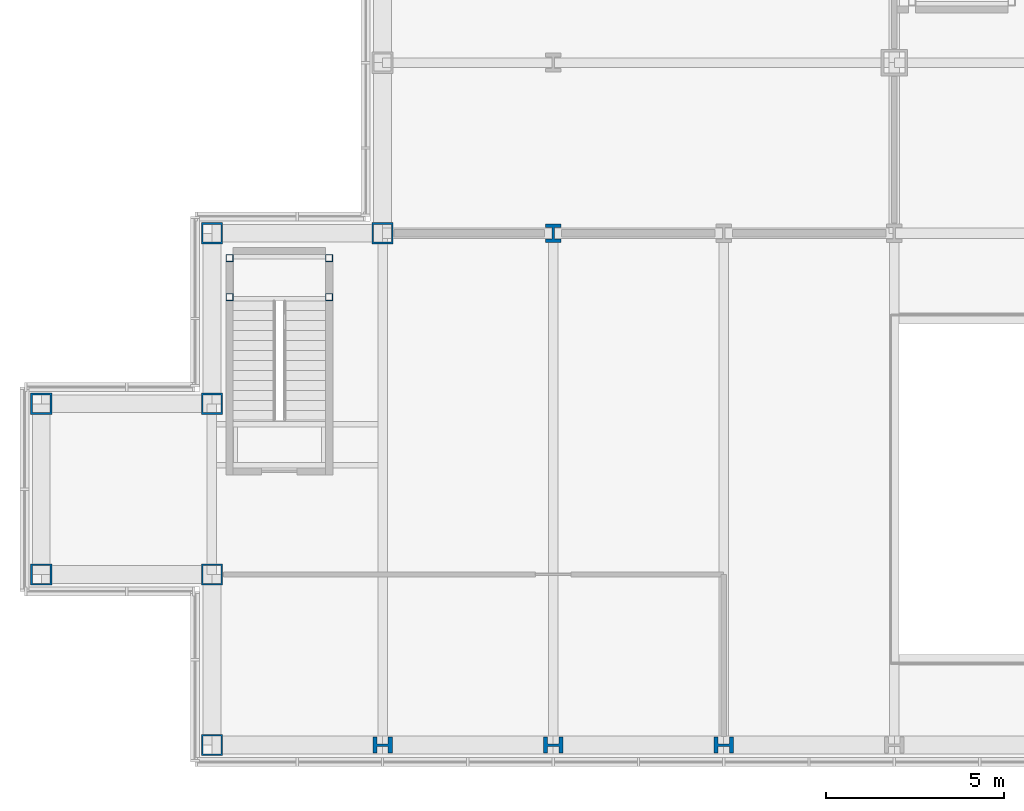
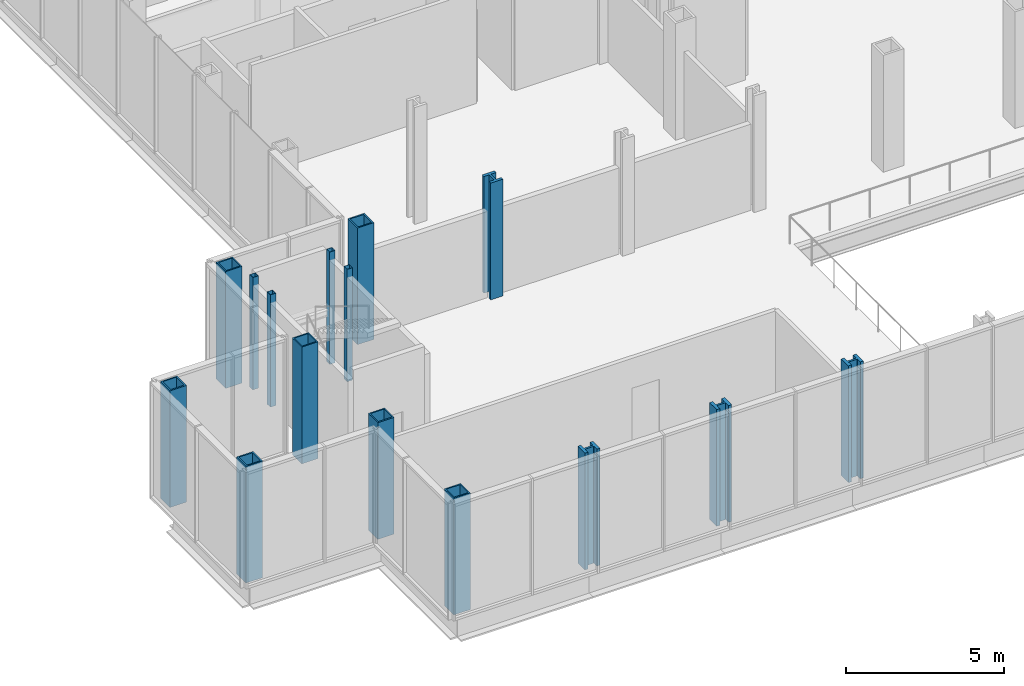
# One storey, part 1 of 26: 15 columns.
"""IFC4 building model written with IfcOpenShell, lengths in metres."""

import ifcopenshell
import ifcopenshell.guid

model = None  # the IFC model being written
_history = None  # IfcOwnerHistory: only IFC2X3 demands one
_inside = {}  # id of a spatial element -> (the spatial element, [elements in it])
_under = {}  # id of a project, library or spatial element -> (it, [spatial elements below it])
_declared = {}  # id of a project -> (the project, [libraries it declares])
_typed = {}  # id of a type object -> (the type object, [elements of that type])
_made_of = {}  # id of a material, layer set ... -> (it, [elements and type objects made of it])


def new_model(schema):
    """Start an empty IFC model of exactly this schema.

    Asked for "IFC4X3", IfcOpenShell would pick the latest addendum, in which some entities
    have other attributes; the version numbers below select the first issue.
    IFC2X3 requires an IfcOwnerHistory on every rooted entity: one is made here for all.
    """
    global model, _history
    if schema == "IFC4X3":
        model = ifcopenshell.file(schema_version=(4, 3, 0, 0))
    else:
        model = ifcopenshell.file(schema=schema)
    _inside.clear()
    _under.clear()
    _declared.clear()
    _typed.clear()
    _made_of.clear()
    _history = None
    if model.schema == "IFC2X3":
        org = make("IfcOrganization", Name="unknown")
        user = make(
            "IfcPersonAndOrganization",
            ThePerson=make("IfcPerson", FamilyName="unknown"),
            TheOrganization=org,
        )
        app = make(
            "IfcApplication",
            ApplicationDeveloper=org,
            Version="unknown",
            ApplicationFullName="unknown",
            ApplicationIdentifier="unknown",
        )
        _history = make(
            "IfcOwnerHistory",
            OwningUser=user,
            OwningApplication=app,
            ChangeAction="ADDED",
            CreationDate=0,
        )
    return model


def make(cls, **values):
    """One entity of the class cls with the attributes given. An attribute that is None is left unset."""
    return model.create_entity(
        cls, **{name: value for name, value in values.items() if value is not None}
    )


def rooted(cls, **values):
    """An entity with a GlobalId (a new one), such as an element, a storey or a relation."""
    return make(cls, GlobalId=ifcopenshell.guid.new(), OwnerHistory=_history, **values)


def si_unit(unit_type, name, prefix=None):
    """IfcSIUnit, for example si_unit("LENGTHUNIT", "METRE", prefix="MILLI")."""
    return make("IfcSIUnit", UnitType=unit_type, Prefix=prefix, Name=name)


def assignment(units):
    """IfcUnitAssignment: the units of a project."""
    return None if units is None else make("IfcUnitAssignment", Units=units)


def point(xyz):
    """IfcCartesianPoint."""
    return None if xyz is None else make("IfcCartesianPoint", Coordinates=xyz)


def direction(xyz):
    """IfcDirection."""
    return None if xyz is None else make("IfcDirection", DirectionRatios=xyz)


def frame(location, z_axis=None, x_axis=None):
    """IfcAxis2Placement3D, a coordinate frame: its origin and axes. An axis left out is left unset."""
    return make(
        "IfcAxis2Placement3D",
        Location=point(location),
        Axis=direction(z_axis),
        RefDirection=direction(x_axis),
    )


def frame_2d(location, x_axis=None):
    """IfcAxis2Placement2D, a coordinate frame in the plane: its origin and x axis."""
    return make(
        "IfcAxis2Placement2D", Location=point(location), RefDirection=direction(x_axis)
    )


def origin():
    """The frame at (0, 0, 0) with its axes left unset."""
    return frame((0.0, 0.0, 0.0))


def origin_2d():
    """The frame at (0, 0) in the plane with its x axis left unset."""
    return frame_2d((0.0, 0.0))


def place(relative_to, where):
    """IfcLocalPlacement: puts the frame where relative to a parent placement (None: the world)."""
    return make(
        "IfcLocalPlacement", PlacementRelTo=relative_to, RelativePlacement=where
    )


def context(
    kind, dimensions, precision=None, world=None, true_north=None, identifier=None
):
    """IfcGeometricRepresentationContext, for example the 3D "Model" context."""
    return make(
        "IfcGeometricRepresentationContext",
        ContextIdentifier=identifier,
        ContextType=kind,
        CoordinateSpaceDimension=dimensions,
        Precision=precision,
        WorldCoordinateSystem=world,
        TrueNorth=true_north,
    )


def subcontext(parent, identifier, kind, view, scale=None):
    """IfcGeometricRepresentationSubContext, for example "Body" below "Model"."""
    return make(
        "IfcGeometricRepresentationSubContext",
        ContextIdentifier=identifier,
        ContextType=kind,
        ParentContext=parent,
        TargetScale=scale,
        TargetView=view,
    )


def project(units=None, contexts=None):
    """IfcProject with its units and contexts."""
    return rooted(
        "IfcProject",
        Name="project",
        RepresentationContexts=contexts,
        UnitsInContext=assignment(units),
    )


def spatial(cls, under=None, at=None, **own):
    """A site, building, storey or space (cls), placed at a placement, below another one or the project."""
    s = rooted(cls, ObjectPlacement=at, **own)
    if under is not None:
        _under.setdefault(under.id(), (under, []))[1].append(s)
    return s


def profile(cls, at=None, kind="AREA", **sizes):
    """A parametric profile (cls). Its sizes go by their IFC names, for example OverallWidth=200.0."""
    return make(cls, ProfileType=kind, Position=at, **sizes)


def hollow_rectangle(**sizes):
    """IfcRectangleHollowProfileDef."""
    return profile("IfcRectangleHollowProfileDef", **sizes)


def i_section(**sizes):
    """IfcIShapeProfileDef."""
    return profile("IfcIShapeProfileDef", **sizes)


def extrude(swept, where, along, depth):
    """IfcExtrudedAreaSolid: the profile swept, set in the frame where, extruded along a direction by depth."""
    return make(
        "IfcExtrudedAreaSolid",
        SweptArea=swept,
        Position=where,
        ExtrudedDirection=direction(along),
        Depth=depth,
    )


def shape(context_of_items, identifier, shape_type, items):
    """IfcShapeRepresentation: the items that make up one representation, for example the "Body"."""
    return make(
        "IfcShapeRepresentation",
        ContextOfItems=context_of_items,
        RepresentationIdentifier=identifier,
        RepresentationType=shape_type,
        Items=items,
    )


def material(Name=None, Category=None):
    """IfcMaterial."""
    return make("IfcMaterial", Name=Name, Category=Category)


def material_profile(
    of_material, cross_section, Name=None, Category=None, Priority=None
):
    """IfcMaterialProfile: a cross section and its material."""
    return make(
        "IfcMaterialProfile",
        Name=Name,
        Material=of_material,
        Profile=cross_section,
        Priority=Priority,
        Category=Category,
    )


def profile_set(profiles, Name=None, composite=None):
    """IfcMaterialProfileSet."""
    return make(
        "IfcMaterialProfileSet",
        Name=Name,
        MaterialProfiles=profiles,
        CompositeProfile=composite,
    )


def made_of(thing, what):
    """Note that an element or type object is made of a material, layer set ...; save() writes the relation."""
    if what is not None:
        _made_of.setdefault(what.id(), (what, []))[1].append(thing)
    return thing


def type_object(cls, material=None, **own):
    """A type object (cls), such as IfcWallType, which elements share."""
    return made_of(rooted(cls, **own), material)


def element(
    cls,
    number,
    at=None,
    inside=None,
    cuts=None,
    type_object=None,
    material=None,
    context=None,
    identifier="Body",
    shape_type=None,
    held_by="IfcProductDefinitionShape",
    body=None,
    shapes=None,
    **own,
):
    """One element of the class cls, such as IfcWall. Its Tag is "e" and its number.

    at: its placement. inside: the storey or other place that contains it. cuts: it is an
    opening in that element (IfcRelVoidsElement). A single representation is given by context,
    identifier, shape_type and body (its items); several are given by shapes. held_by: the class
    of the entity that holds the representations. save() writes the other relations.
    """
    e = rooted(cls, Tag="e%d" % number, ObjectPlacement=at, **own)
    if body is not None:
        shapes = [shape(context, identifier, shape_type, body)]
    if shapes is not None:
        e.Representation = make(held_by, Representations=shapes)
    if inside is not None:
        _inside.setdefault(inside.id(), (inside, []))[1].append(e)
    if cuts is not None:
        rooted(
            "IfcRelVoidsElement", RelatingBuildingElement=cuts, RelatedOpeningElement=e
        )
    if type_object is not None:
        _typed.setdefault(type_object.id(), (type_object, []))[1].append(e)
    return made_of(e, material)


def aggregate(whole, parts):
    """IfcRelAggregates: a whole, such as a stair, and the parts it consists of."""
    return rooted("IfcRelAggregates", RelatingObject=whole, RelatedObjects=parts)


def save(model, path):
    """Write the relations noted so far, then the file.

    IfcRelAggregates (storeys below a building ...), IfcRelContainedInSpatialStructure (elements
    in a storey), IfcRelDefinesByType, IfcRelAssociatesMaterial and IfcRelDeclares: one each for
    every whole, place, type object, material and project.
    """
    for whole, parts in _under.values():
        aggregate(whole, parts)
    for where, things in _inside.values():
        rooted(
            "IfcRelContainedInSpatialStructure",
            RelatedElements=things,
            RelatingStructure=where,
        )
    for kind, things in _typed.values():
        rooted("IfcRelDefinesByType", RelatedObjects=things, RelatingType=kind)
    for what, things in _made_of.values():
        rooted("IfcRelAssociatesMaterial", RelatedObjects=things, RelatingMaterial=what)
    for by, libraries in _declared.values():
        rooted("IfcRelDeclares", RelatingContext=by, RelatedDefinitions=libraries)
    model.write(path)


model = new_model("IFC4")

# Units and contexts
model_context = context("Model", 3, precision=1e-05, world=origin(), true_north=direction((0.0, 1.0)))
body_context = subcontext(model_context, "Body", "Model", "MODEL_VIEW")
ifc_project = project(units=[si_unit("LENGTHUNIT", "METRE"), si_unit("AREAUNIT", "SQUARE_METRE"), si_unit("VOLUMEUNIT", "CUBIC_METRE"), si_unit("PLANEANGLEUNIT", "RADIAN"), si_unit("MASSUNIT", "GRAM", prefix="KILO")], contexts=[model_context])

# Site, building, storey
site_placement = place(None, origin())
site = spatial("IfcSite", under=ifc_project, at=site_placement, CompositionType="ELEMENT")
building_placement = place(site_placement, origin())
building = spatial("IfcBuilding", under=site, at=building_placement, Name="Kvirike Care Tower", CompositionType="ELEMENT")
storey_placement = place(building_placement, frame((0.0, 0.0, 18.0)))
storey = spatial("IfcBuildingStorey", under=building, at=storey_placement, Name="L04", CompositionType="ELEMENT", Elevation=18.0)

# Columns
ifc_material_1 = material(Name="Steel S460", Category="steel")
ifc_material_profile_1 = material_profile(ifc_material_1, hollow_rectangle(XDim=0.60009765625, YDim=0.60009765625, WallThickness=0.050048828125, at=origin_2d()), Name="BX 600x600x50")
ifc_profile_set_1 = profile_set([ifc_material_profile_1], Name="Steel S460")
column_type_1 = type_object("IfcColumnType", Name="COLUMN BX 600x600x50", PredefinedType="COLUMN", material=ifc_profile_set_1)
for number, where, z_axis, x_axis, name in (
    (1, (-9.60009765625, 4.800048828125, 0.0), (0.0, 0.0, 1.0), (0.0, 1.0, 0.0), "Column B1 L04"),
    (2, (-9.60009765625, 9.60009765625, 0.0), (0.0, 0.0, 1.0), (0.0, 1.0, 0.0), "Column C1 L04"),
    (3, (-4.800048828125, 0.0, 0.0), (0.0, 0.0, 1.0), (0.0, 1.0, 0.0), "Column A2 L04"),
    (4, (-4.800048828125, 4.800048828125, 0.0), (0.0, 0.0, 1.0), (0.0, 1.0, 0.0), "Column B2 L04"),
    (5, (-4.800048828125, 9.60009765625, 0.0), (0.0, 0.0, 1.0), (0.0, 1.0, 0.0), "Column C2 L04"),
    (6, (-4.800048828125, 14.39990234375, 0.0), (0.0, 0.0, 1.0), (0.0, 1.0, 0.0), "Column D2 L04"),
    (7, (0.0, 14.39990234375, 0.0), (0.0, 0.0, 1.0), (0.0, 1.0, 0.0), "Column D3 L04"),
):
    element("IfcColumn", number, at=place(storey_placement, frame(where, z_axis=z_axis, x_axis=x_axis)), inside=storey, type_object=column_type_1, Name=name, PredefinedType="COLUMN", context=body_context, shape_type="SweptSolid", body=[
        extrude(hollow_rectangle(XDim=0.60009765625, YDim=0.60009765625, WallThickness=0.050048828125, at=origin_2d()), origin(), (0.0, 0.0, 1.0), 4.5),
    ])
ifc_material_2 = material(Name="Steel S460", Category="steel")
ifc_material_profile_2 = material_profile(ifc_material_2, i_section(OverallWidth=0.44189453125, OverallDepth=0.531005859375, WebThickness=0.06591796875, FlangeThickness=0.10595703125, FilletRadius=0.014892578125, at=origin_2d()), Name="HD 400x900")
ifc_profile_set_2 = profile_set([ifc_material_profile_2], Name="Steel S460")
column_type_2 = type_object("IfcColumnType", Name="COLUMN HD 400x900", PredefinedType="COLUMN", material=ifc_profile_set_2)
column_placement = place(storey_placement, frame((4.800048828125, 14.39990234375, 0.0), z_axis=(0.0, 0.0, 1.0), x_axis=(1.0, 0.0, 0.0)))
element("IfcColumn", 8, at=column_placement, inside=storey, type_object=column_type_2, Name="Column D4 L04", PredefinedType="COLUMN", context=body_context, shape_type="SweptSolid", body=[
    extrude(i_section(OverallWidth=0.44189453125, OverallDepth=0.531005859375, WebThickness=0.06591796875, FlangeThickness=0.10595703125, FilletRadius=0.014892578125, at=origin_2d()), origin(), (0.0, 0.0, 1.0), 4.5),
])
ifc_material_3 = material(Name="Steel S460", Category="steel")
ifc_material_profile_3 = material_profile(ifc_material_3, i_section(OverallWidth=0.447998046875, OverallDepth=0.550048828125, WebThickness=0.072021484375, FlangeThickness=0.114990234375, FilletRadius=0.014892578125, at=origin_2d()), Name="HD 400x990")
ifc_profile_set_3 = profile_set([ifc_material_profile_3], Name="Steel S460")
column_type_3 = type_object("IfcColumnType", Name="COLUMN HD 400x990", PredefinedType="COLUMN", material=ifc_profile_set_3)
for number, where, z_axis, x_axis, name in (
    (9, (0.0, 0.0, 0.0), (0.0, 0.0, 1.0), (0.0, 1.0, 0.0), "Column A3 L04"),
    (10, (4.800048828125, 0.0, 0.0), (0.0, 0.0, 1.0), (0.0, 1.0, 0.0), "Column A4 L04"),
    (11, (9.60009765625, 0.0, 0.0), (0.0, 0.0, 1.0), (0.0, 1.0, 0.0), "Column A5 L04"),
):
    element("IfcColumn", number, at=place(storey_placement, frame(where, z_axis=z_axis, x_axis=x_axis)), inside=storey, type_object=column_type_3, Name=name, PredefinedType="COLUMN", context=body_context, shape_type="SweptSolid", body=[
        extrude(i_section(OverallWidth=0.447998046875, OverallDepth=0.550048828125, WebThickness=0.072021484375, FlangeThickness=0.114990234375, FilletRadius=0.014892578125, at=origin_2d()), origin(), (0.0, 0.0, 1.0), 4.5),
    ])
ifc_material_4 = material(Name="Steel S460", Category="steel")
ifc_material_profile_4 = material_profile(ifc_material_4, hollow_rectangle(XDim=0.199951171875, YDim=0.199951171875, WallThickness=0.008056640625, at=origin_2d()), Name="SHS 200x200x8")
ifc_profile_set_4 = profile_set([ifc_material_profile_4], Name="Steel S460")
column_type_4 = type_object("IfcColumnType", Name="STAIR POST SHS 200x200x8", PredefinedType="COLUMN", material=ifc_profile_set_4)
for number, where, z_axis, x_axis, name in (
    (12, (-4.300048828125, 13.699951171875, 0.0), (0.0, 0.0, 1.0), (1.0, 0.0, 0.0), "Stair 3 post 1 L04"),
    (13, (-1.5, 13.699951171875, 0.0), (0.0, 0.0, 1.0), (1.0, 0.0, 0.0), "Stair 3 post 2 L04"),
    (14, (-4.300048828125, 12.60009765625, 0.0), (0.0, 0.0, 1.0), (1.0, 0.0, 0.0), "Stair 3 post 3 L04"),
    (15, (-1.5, 12.60009765625, 0.0), (0.0, 0.0, 1.0), (1.0, 0.0, 0.0), "Stair 3 post 4 L04"),
):
    element("IfcColumn", number, at=place(storey_placement, frame(where, z_axis=z_axis, x_axis=x_axis)), inside=storey, type_object=column_type_4, Name=name, PredefinedType="COLUMN", context=body_context, shape_type="SweptSolid", body=[
        extrude(hollow_rectangle(XDim=0.199951171875, YDim=0.199951171875, WallThickness=0.008056640625, at=origin_2d()), origin(), (0.0, 0.0, 1.0), 4.330078125),
    ])

save(model, "model.ifc")
